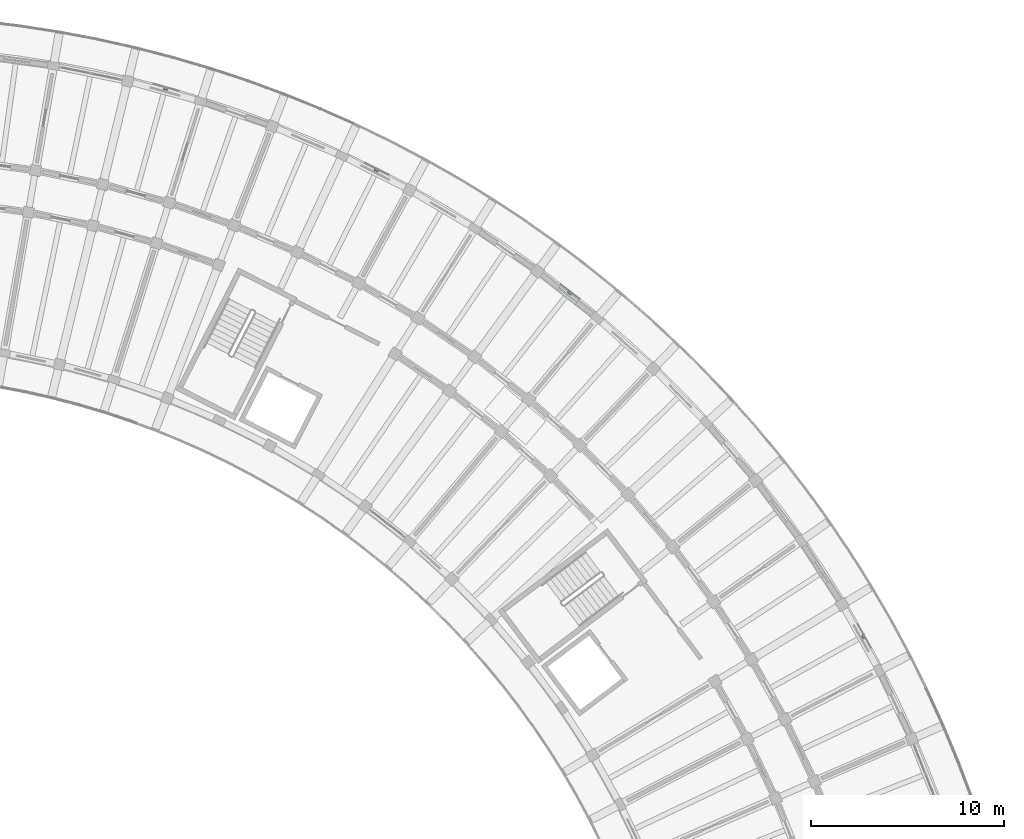
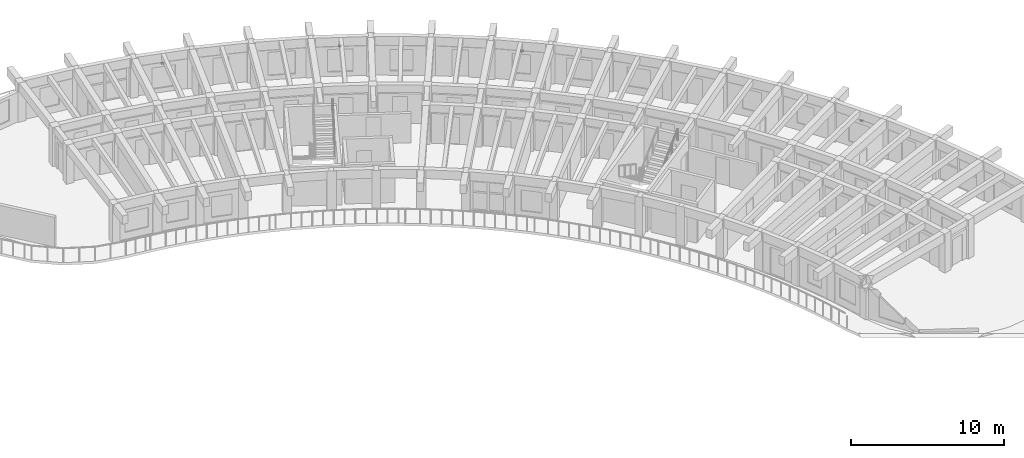
# One storey, part 64 of 81: 4 discrete accessories.
"""IFC4 building model written with IfcOpenShell, lengths in metres."""

from ifc_helpers import new_model, si_unit, direction, frame, origin, origin_2d, place, context, subcontext, project, spatial, rectangle, extrude, material, type_object, element, save


model = new_model("IFC4")

# Units and contexts
model_context = context("Model", 3, precision=1e-05, world=origin(), true_north=direction((0.0, 1.0)))
body_context = subcontext(model_context, "Body", "Model", "MODEL_VIEW")
ifc_project = project(units=[si_unit("LENGTHUNIT", "METRE"), si_unit("AREAUNIT", "SQUARE_METRE"), si_unit("VOLUMEUNIT", "CUBIC_METRE"), si_unit("PLANEANGLEUNIT", "RADIAN"), si_unit("MASSUNIT", "GRAM", prefix="KILO")], contexts=[model_context])

# Site, building, storey
site_placement = place(None, origin())
site = spatial("IfcSite", under=ifc_project, at=site_placement, CompositionType="ELEMENT")
building_placement = place(site_placement, origin())
building = spatial("IfcBuilding", under=site, at=building_placement, Name="Tanwirah Colonnade Gardens", CompositionType="ELEMENT")
storey_placement = place(building_placement, frame((0.0, 0.0, 18.919921875)))
storey = spatial("IfcBuildingStorey", under=building, at=storey_placement, Name="L05", CompositionType="ELEMENT", Elevation=18.919921875)

# Discrete accessories
ifc_material = material(Name="Steel S355", Category="steel")
discrete_accessory_type = type_object("IfcDiscreteAccessoryType", Name="BRK-SS1", PredefinedType="BRACKET", material=ifc_material)
for number, where, z_axis, x_axis, name in (
    (1, (173.112060546875, 89.30224609375, 2.030029296875), (0.0, 0.0, 1.0), (-0.488198368322, 0.872732692849, 0.0), "Solar screen support bracket B-L05-03"),
    (2, (157.8720703125, 107.136962890625, 2.10009765625), (0.0, 0.0, 1.0), (-0.786816013383, 0.617187622271, 0.0), "Solar screen support bracket B-L05-09"),
    (3, (147.853271484375, 113.505859375, 2.14990234375), (0.0, 0.0, 1.0), (-0.892759988233, 0.450532577524, 0.0), "Solar screen support bracket B-L05-12"),
    (4, (136.93603515625, 117.720947265625, 2.030029296875), (0.0, 0.0, 1.0), (-0.963888748144, 0.266305240659, 0.0), "Solar screen support bracket B-L05-15"),
):
    element("IfcDiscreteAccessory", number, at=place(storey_placement, frame(where, z_axis=z_axis, x_axis=x_axis)), inside=storey, type_object=discrete_accessory_type, Name=name, PredefinedType="BRACKET", context=body_context, shape_type="SweptSolid", body=[
        extrude(rectangle(XDim=0.219970703125, YDim=0.159912109375, at=origin_2d()), origin(), (0.0, 0.0, 1.0), 0.1201171875),
    ])

save(model, "model.ifc")
